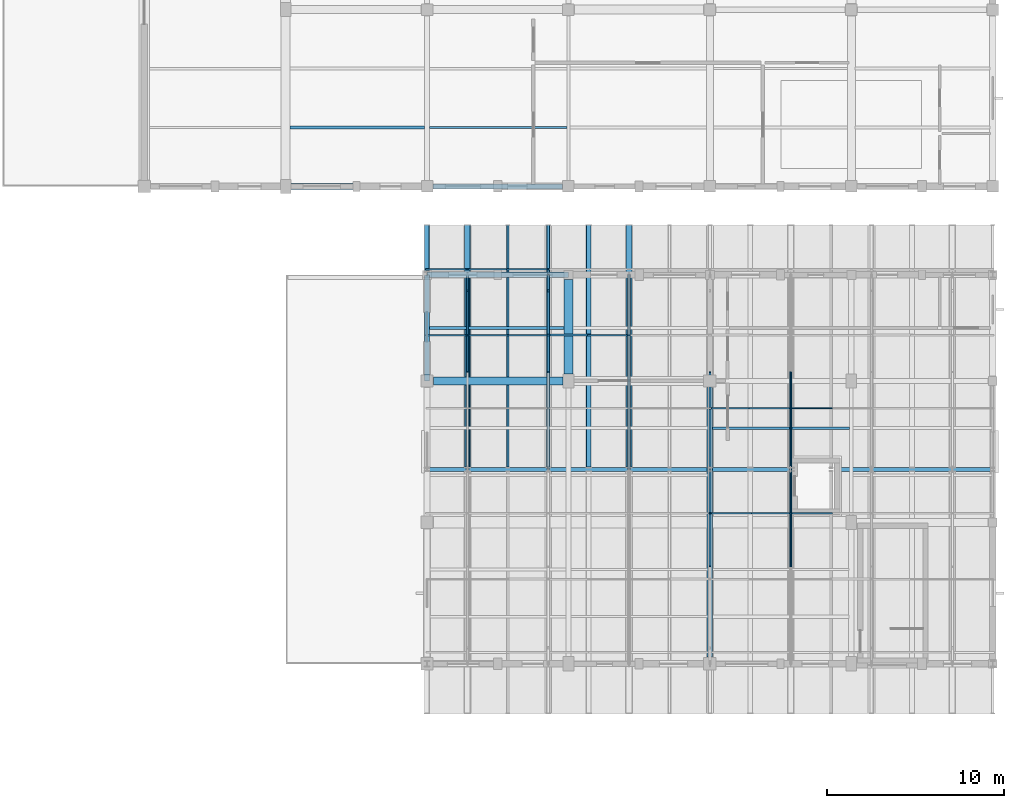
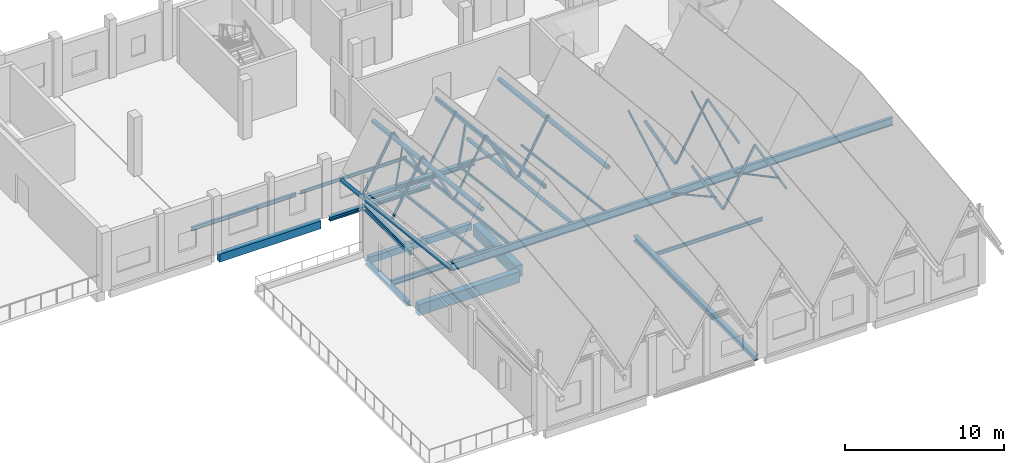
# One storey, part 19 of 48: 25 members, 20 beams.
"""IFC4 building model written with IfcOpenShell, lengths in metres."""

from ifc_helpers import new_model, si_unit, direction, frame, origin, origin_2d, place, context, subcontext, project, spatial, rectangle, hollow_rectangle, hollow_circle, i_section, extrude, material, material_profile, profile_set, type_object, element, save


model = new_model("IFC4")

# Units and contexts
model_context = context("Model", 3, precision=1e-05, world=origin(), true_north=direction((0.0, 1.0)))
body_context = subcontext(model_context, "Body", "Model", "MODEL_VIEW")
ifc_project = project(units=[si_unit("LENGTHUNIT", "METRE"), si_unit("AREAUNIT", "SQUARE_METRE"), si_unit("VOLUMEUNIT", "CUBIC_METRE"), si_unit("PLANEANGLEUNIT", "RADIAN"), si_unit("MASSUNIT", "GRAM", prefix="KILO")], contexts=[model_context])

# Site, building, storey
site_placement = place(None, origin())
site = spatial("IfcSite", under=ifc_project, at=site_placement, CompositionType="ELEMENT")
building_placement = place(site_placement, origin())
building = spatial("IfcBuilding", under=site, at=building_placement, Name="Luwemba Playhouse", CompositionType="ELEMENT")
storey_placement = place(building_placement, frame((0.0, 0.0, 13.800048828125)))
storey = spatial("IfcBuildingStorey", under=building, at=storey_placement, Name="L03", CompositionType="ELEMENT", Elevation=13.800048828125)

# Beams
ifc_material_1 = material(Name="Concrete C40/50", Category="concrete")
ifc_material_profile_1 = material_profile(ifc_material_1, rectangle(XDim=0.449951171875, YDim=0.85009765625, at=origin_2d()))
ifc_profile_set_1 = profile_set([ifc_material_profile_1], Name="Concrete C40/50")
beam_type_1 = type_object("IfcBeamType", Name="BM-RB05", PredefinedType="BEAM", material=ifc_profile_set_1)
beam_1_placement = place(storey_placement, frame((140.375, 84.0, -0.655029296875), z_axis=(1.0, 0.0, 0.0), x_axis=(0.0, 1.0, 0.0)))
element("IfcBeam", 1, at=beam_1_placement, inside=storey, type_object=beam_type_1, Name="L03 grid girder 0864", PredefinedType="BEAM", context=body_context, shape_type="SweptSolid", body=[
    extrude(rectangle(XDim=0.449951171875, YDim=0.85009765625, at=origin_2d()), origin(), (0.0, 0.0, 1.0), 7.324951171875),
])
ifc_material_profile_2 = material_profile(ifc_material_1, rectangle(XDim=0.5, YDim=0.89990234375, at=origin_2d()))
ifc_profile_set_2 = profile_set([ifc_material_profile_2], Name="Concrete C40/50")
beam_type_2 = type_object("IfcBeamType", Name="BM-RB07", PredefinedType="BEAM", material=ifc_profile_set_2)
beam_2_placement = place(storey_placement, frame((148.0, 84.39990234375, -0.679931640625), z_axis=(0.0, 1.0, 0.0), x_axis=(-1.0, 0.0, 0.0)))
element("IfcBeam", 2, at=beam_2_placement, inside=storey, type_object=beam_type_2, Name="L03 transverse girder 0876", PredefinedType="BEAM", context=body_context, shape_type="SweptSolid", body=[
    extrude(rectangle(XDim=0.5, YDim=0.89990234375, at=origin_2d()), origin(), (0.0, 0.0, 1.0), 5.3251953125),
])
ifc_material_2 = material(Name="Steel S355", Category="steel")
ifc_material_profile_3 = material_profile(ifc_material_2, hollow_rectangle(XDim=0.14990234375, YDim=0.25, WallThickness=0.010009765625, InnerFilletRadius=0.014892578125, OuterFilletRadius=0.02490234375, at=origin_2d()))
ifc_profile_set_3 = profile_set([ifc_material_profile_3], Name="Steel S355")
beam_type_3 = type_object("IfcBeamType", Name="BM-RTG1", PredefinedType="USERDEFINED", material=ifc_profile_set_3)
beam_3_placement = place(storey_placement, frame((144.5712890625, 79.110107421875, 5.536376953125), z_axis=(0.0, 0.99376734367, -0.111474062697), x_axis=(-1.0, 0.0, 0.0)))
element("IfcBeam", 3, at=beam_3_placement, inside=storey, type_object=beam_type_3, Name="ROOF TRUSS valley girder 0217", ObjectType="ROOF TRUSS", PredefinedType="USERDEFINED", context=body_context, shape_type="SweptSolid", body=[
    extrude(hollow_rectangle(XDim=0.14990234375, YDim=0.25, WallThickness=0.010009765625, InnerFilletRadius=0.014892578125, OuterFilletRadius=0.02490234375, at=origin_2d()), origin(), (0.0, 0.0, 1.0), 13.77587890625),
])
ifc_material_profile_4 = material_profile(ifc_material_2, hollow_rectangle(XDim=0.199951171875, YDim=0.300048828125, WallThickness=0.012451171875, InnerFilletRadius=0.018798828125, OuterFilletRadius=0.03125, at=origin_2d()))
ifc_profile_set_4 = profile_set([ifc_material_profile_4], Name="Steel S355")
beam_type_4 = type_object("IfcBeamType", Name="BM-RTG2", PredefinedType="USERDEFINED", material=ifc_profile_set_4)
beam_4_placement = place(storey_placement, frame((146.857177734375, 79.110107421875, 9.412353515625), z_axis=(0.0, 0.993769306798, -0.111456560446), x_axis=(-1.0, 0.0, 0.0)))
element("IfcBeam", 4, at=beam_4_placement, inside=storey, type_object=beam_type_4, Name="ROOF TRUSS ridge girder 0219", ObjectType="ROOF TRUSS", PredefinedType="USERDEFINED", context=body_context, shape_type="SweptSolid", body=[
    extrude(hollow_rectangle(XDim=0.199951171875, YDim=0.300048828125, WallThickness=0.012451171875, InnerFilletRadius=0.018798828125, OuterFilletRadius=0.03125, at=origin_2d()), origin(), (0.0, 0.0, 1.0), 13.77587890625),
])
ifc_material_profile_5 = material_profile(ifc_material_2, hollow_circle(Radius=0.136474609375, WallThickness=0.012451171875, at=origin_2d()))
ifc_profile_set_5 = profile_set([ifc_material_profile_5], Name="Steel S355")
beam_type_5 = type_object("IfcBeamType", Name="BM-RTG3", PredefinedType="USERDEFINED", material=ifc_profile_set_5)
for number, where, z_axis, x_axis, name in (
    (5, (140.0, 79.110107421875, 5.52490234375), (0.0, 0.99376734367, -0.111474062697), (-1.0, 0.0, 0.0), "ROOF TRUSS valley girder 0213"),
    (6, (149.142822265625, 79.110107421875, 5.52490234375), (0.0, 0.993769306798, -0.111456560446), (-1.0, 0.0, 0.0), "ROOF TRUSS valley girder 0221"),
):
    element("IfcBeam", number, at=place(storey_placement, frame(where, z_axis=z_axis, x_axis=x_axis)), inside=storey, type_object=beam_type_5, Name=name, ObjectType="ROOF TRUSS", PredefinedType="USERDEFINED", context=body_context, shape_type="SweptSolid", body=[
        extrude(hollow_circle(Radius=0.136474609375, WallThickness=0.012451171875, at=origin_2d()), origin(), (0.0, 0.0, 1.0), 13.77587890625),
    ])
ifc_material_profile_6 = material_profile(ifc_material_2, hollow_circle(Radius=0.161865234375, WallThickness=0.01611328125, at=origin_2d()))
ifc_profile_set_6 = profile_set([ifc_material_profile_6], Name="Steel S355")
beam_type_6 = type_object("IfcBeamType", Name="BM-RTG4", PredefinedType="USERDEFINED", material=ifc_profile_set_6)
for number, where, z_axis, x_axis, name in (
    (7, (142.28564453125, 79.110107421875, 9.28759765625), (0.0, 0.993769306798, -0.111456560446), (-1.0, 0.0, 0.0), "ROOF TRUSS ridge girder 0215"),
    (8, (151.4287109375, 79.110107421875, 9.28759765625), (0.0, 0.99376734367, -0.111474062697), (-1.0, 0.0, 0.0), "ROOF TRUSS ridge girder 0223"),
):
    element("IfcBeam", number, at=place(storey_placement, frame(where, z_axis=z_axis, x_axis=x_axis)), inside=storey, type_object=beam_type_6, Name=name, ObjectType="ROOF TRUSS", PredefinedType="USERDEFINED", context=body_context, shape_type="SweptSolid", body=[
        extrude(hollow_circle(Radius=0.161865234375, WallThickness=0.01611328125, at=origin_2d()), origin(), (0.0, 0.0, 1.0), 13.77587890625),
    ])
ifc_material_profile_7 = material_profile(ifc_material_2, i_section(OverallWidth=0.219970703125, OverallDepth=0.60009765625, WebThickness=0.011962890625, FlangeThickness=0.01904296875, FilletRadius=0.02392578125, at=origin_2d()))
ifc_profile_set_7 = profile_set([ifc_material_profile_7], Name="Steel S355")
beam_type_7 = type_object("IfcBeamType", Name="BM-SB08", PredefinedType="BEAM", material=ifc_profile_set_7)
beam_5_placement = place(storey_placement, frame((140.0, 79.0, 5.753662109375), z_axis=(1.0, 0.0, 0.0), x_axis=(0.0, 1.0, 0.0)))
element("IfcBeam", 9, at=beam_5_placement, inside=storey, type_object=beam_type_7, Name="RF-V4 central ridge spine girder 0211", PredefinedType="BEAM", context=body_context, shape_type="SweptSolid", body=[
    extrude(i_section(OverallWidth=0.219970703125, OverallDepth=0.60009765625, WebThickness=0.011962890625, FlangeThickness=0.01904296875, FilletRadius=0.02392578125, at=origin_2d()), origin(), (0.0, 0.0, 1.0), 32.0),
])
ifc_material_profile_8 = material_profile(ifc_material_2, i_section(OverallWidth=0.300048828125, OverallDepth=0.360107421875, WebThickness=0.012451171875, FlangeThickness=0.0224609375, FilletRadius=0.027099609375, at=origin_2d()))
ifc_profile_set_8 = profile_set([ifc_material_profile_8], Name="Steel S355")
beam_type_8 = type_object("IfcBeamType", Name="BM-SB09", PredefinedType="BEAM", material=ifc_profile_set_8)
beam_6_placement = place(storey_placement, frame((140.0, 90.0, 4.320068359375), z_axis=(1.0, 0.0, 0.0), x_axis=(0.0, 1.0, 0.0)))
element("IfcBeam", 10, at=beam_6_placement, inside=storey, type_object=beam_type_8, Name="RF-V4 eave ring beam 0199", PredefinedType="BEAM", context=body_context, shape_type="SweptSolid", body=[
    extrude(i_section(OverallWidth=0.300048828125, OverallDepth=0.360107421875, WebThickness=0.012451171875, FlangeThickness=0.0224609375, FilletRadius=0.027099609375, at=origin_2d()), origin(), (0.0, 0.0, 1.0), 8.0),
])
beam_7_placement = place(storey_placement, frame((140.0, 84.0, 3.780029296875), z_axis=(0.0, 1.0, 0.0), x_axis=(-1.0, 0.0, 0.0)))
element("IfcBeam", 11, at=beam_7_placement, inside=storey, type_object=beam_type_8, Name="RF-V4 gable ring beam 0205", PredefinedType="BEAM", context=body_context, shape_type="SweptSolid", body=[
    extrude(i_section(OverallWidth=0.300048828125, OverallDepth=0.360107421875, WebThickness=0.012451171875, FlangeThickness=0.0224609375, FilletRadius=0.027099609375, at=origin_2d()), origin(), (0.0, 0.0, 1.0), 6.0),
])
ifc_material_profile_9 = material_profile(ifc_material_2, i_section(OverallWidth=0.300048828125, OverallDepth=0.39990234375, WebThickness=0.013427734375, FlangeThickness=0.02392578125, FilletRadius=0.027099609375, at=origin_2d()))
ifc_profile_set_9 = profile_set([ifc_material_profile_9], Name="Steel S355")
beam_type_9 = type_object("IfcBeamType", Name="BM-SB10", PredefinedType="BEAM", material=ifc_profile_set_9)
beam_8_placement = place(storey_placement, frame((156.0, 68.375, -0.429931640625), z_axis=(0.0, 1.0, 0.0), x_axis=(-1.0, 0.0, 0.0)))
element("IfcBeam", 12, at=beam_8_placement, inside=storey, type_object=beam_type_9, Name="L03 transverse girder 0877", PredefinedType="BEAM", context=body_context, shape_type="SweptSolid", body=[
    extrude(i_section(OverallWidth=0.300048828125, OverallDepth=0.39990234375, WebThickness=0.013427734375, FlangeThickness=0.02392578125, FilletRadius=0.027099609375, at=origin_2d()), origin(), (0.0, 0.0, 1.0), 15.25),
])
ifc_material_profile_10 = material_profile(ifc_material_2, i_section(OverallWidth=0.1201171875, OverallDepth=0.239990234375, WebThickness=0.006103515625, FlangeThickness=0.009765625, FilletRadius=0.014892578125, at=origin_2d()))
ifc_profile_set_10 = profile_set([ifc_material_profile_10], Name="Steel S355")
beam_type_10 = type_object("IfcBeamType", Name="BM-SJ03", PredefinedType="JOIST", material=ifc_profile_set_10)
beam_9_placement = place(storey_placement, frame((140.135986328125, 98.333251953125, -0.35009765625), z_axis=(1.0, 0.0, 0.0), x_axis=(0.0, 1.0, 0.0)))
element("IfcBeam", 13, at=beam_9_placement, inside=storey, type_object=beam_type_10, Name="L03 composite floor joist 0512", PredefinedType="JOIST", context=body_context, shape_type="SweptSolid", body=[
    extrude(i_section(OverallWidth=0.1201171875, OverallDepth=0.239990234375, WebThickness=0.006103515625, FlangeThickness=0.009765625, FilletRadius=0.014892578125, at=origin_2d()), origin(), (0.0, 0.0, 1.0), 7.77294921875),
])
ifc_material_profile_11 = material_profile(ifc_material_2, i_section(OverallWidth=0.135009765625, OverallDepth=0.27001953125, WebThickness=0.006591796875, FlangeThickness=0.01025390625, FilletRadius=0.014892578125, at=origin_2d()))
ifc_profile_set_11 = profile_set([ifc_material_profile_11], Name="Steel S355")
beam_type_11 = type_object("IfcBeamType", Name="BM-SJ04", PredefinedType="JOIST", material=ifc_profile_set_11)
beam_10_placement = place(storey_placement, frame((156.14599609375, 81.333251953125, -0.364990234375), z_axis=(1.0, 0.0, 0.0), x_axis=(0.0, 1.0, 0.0)))
element("IfcBeam", 14, at=beam_10_placement, inside=storey, type_object=beam_type_11, Name="L03 composite floor joist 0501", PredefinedType="JOIST", context=body_context, shape_type="SweptSolid", body=[
    extrude(i_section(OverallWidth=0.135009765625, OverallDepth=0.27001953125, WebThickness=0.006591796875, FlangeThickness=0.01025390625, FilletRadius=0.014892578125, at=origin_2d()), origin(), (0.0, 0.0, 1.0), 7.762939453125),
])
ifc_material_profile_12 = material_profile(ifc_material_2, i_section(OverallWidth=0.14990234375, OverallDepth=0.300048828125, WebThickness=0.007080078125, FlangeThickness=0.0107421875, FilletRadius=0.014892578125, at=origin_2d()))
ifc_profile_set_12 = profile_set([ifc_material_profile_12], Name="Steel S355")
beam_type_12 = type_object("IfcBeamType", Name="BM-SJ05", PredefinedType="JOIST", material=ifc_profile_set_12)
beam_11_placement = place(storey_placement, frame((132.24609375, 98.333251953125, -0.380126953125), z_axis=(1.0, 0.0, 0.0), x_axis=(0.0, 1.0, 0.0)))
element("IfcBeam", 15, at=beam_11_placement, inside=storey, type_object=beam_type_12, Name="L03 composite floor joist 0508", PredefinedType="JOIST", context=body_context, shape_type="SweptSolid", body=[
    extrude(i_section(OverallWidth=0.14990234375, OverallDepth=0.300048828125, WebThickness=0.007080078125, FlangeThickness=0.0107421875, FilletRadius=0.014892578125, at=origin_2d()), origin(), (0.0, 0.0, 1.0), 7.617919921875),
])
ifc_material_profile_13 = material_profile(ifc_material_2, i_section(OverallWidth=0.179931640625, OverallDepth=0.39990234375, WebThickness=0.008544921875, FlangeThickness=0.013427734375, FilletRadius=0.02099609375, at=origin_2d()))
ifc_profile_set_13 = profile_set([ifc_material_profile_13], Name="Steel S355")
beam_type_13 = type_object("IfcBeamType", Name="BM-SJ08", PredefinedType="JOIST", material=ifc_profile_set_13)
beam_12_placement = place(storey_placement, frame((140.14599609375, 87.0, -0.429931640625), z_axis=(1.0, 0.0, 0.0), x_axis=(0.0, 1.0, 0.0)))
element("IfcBeam", 16, at=beam_12_placement, inside=storey, type_object=beam_type_13, Name="L03 composite floor joist 0493", PredefinedType="JOIST", context=body_context, shape_type="SweptSolid", body=[
    extrude(i_section(OverallWidth=0.179931640625, OverallDepth=0.39990234375, WebThickness=0.008544921875, FlangeThickness=0.013427734375, FilletRadius=0.02099609375, at=origin_2d()), origin(), (0.0, 0.0, 1.0), 7.60791015625),
])
ifc_material_profile_14 = material_profile(ifc_material_1, rectangle(XDim=0.300048828125, YDim=0.5, at=origin_2d()))
ifc_profile_set_14 = profile_set([ifc_material_profile_14], Name="Concrete C40/50")
beam_type_14 = type_object("IfcBeamType", Name="BM-SP1", PredefinedType="SPANDREL", material=ifc_profile_set_14)
beam_13_placement = place(storey_placement, frame((140.27490234375, 90.0, -0.47998046875), z_axis=(1.0, 0.0, 0.0), x_axis=(0.0, 1.0, 0.0)))
element("IfcBeam", 17, at=beam_13_placement, inside=storey, type_object=beam_type_14, Name="L03 grid girder 0868", PredefinedType="SPANDREL", context=body_context, shape_type="SweptSolid", body=[
    extrude(rectangle(XDim=0.300048828125, YDim=0.5, at=origin_2d()), origin(), (0.0, 0.0, 1.0), 7.4501953125),
])
ifc_material_profile_15 = material_profile(ifc_material_1, rectangle(XDim=0.35009765625, YDim=0.60009765625, at=origin_2d()))
ifc_profile_set_15 = profile_set([ifc_material_profile_15], Name="Concrete C40/50")
beam_type_15 = type_object("IfcBeamType", Name="BM-SP3", PredefinedType="SPANDREL", material=ifc_profile_set_15)
beam_14_placement = place(storey_placement, frame((132.300048828125, 95.0, -0.530029296875), z_axis=(1.0, 0.0, 0.0), x_axis=(0.0, 1.0, 0.0)))
element("IfcBeam", 18, at=beam_14_placement, inside=storey, type_object=beam_type_15, Name="L03 grid girder 0886", PredefinedType="SPANDREL", context=body_context, shape_type="SweptSolid", body=[
    extrude(rectangle(XDim=0.35009765625, YDim=0.60009765625, at=origin_2d()), origin(), (0.0, 0.0, 1.0), 7.349853515625),
])
ifc_material_profile_16 = material_profile(ifc_material_2, i_section(OverallWidth=0.300048828125, OverallDepth=0.300048828125, WebThickness=0.010986328125, FlangeThickness=0.01904296875, FilletRadius=0.027099609375, at=origin_2d()))
ifc_profile_set_16 = profile_set([ifc_material_profile_16], Name="Steel S355")
beam_type_16 = type_object("IfcBeamType", Name="BM-SSP1", PredefinedType="SPANDREL", material=ifc_profile_set_16)
beam_15_placement = place(storey_placement, frame((140.0, 84.375, -0.380126953125), z_axis=(0.0, 1.0, 0.0), x_axis=(-1.0, 0.0, 0.0)))
element("IfcBeam", 19, at=beam_15_placement, inside=storey, type_object=beam_type_16, Name="L03 transverse girder 0874", PredefinedType="SPANDREL", context=body_context, shape_type="SweptSolid", body=[
    extrude(i_section(OverallWidth=0.300048828125, OverallDepth=0.300048828125, WebThickness=0.010986328125, FlangeThickness=0.01904296875, FilletRadius=0.027099609375, at=origin_2d()), origin(), (0.0, 0.0, 1.0), 5.35009765625),
])
beam_16_placement = place(storey_placement, frame((140.35009765625, 95.0, -0.380126953125), z_axis=(1.0, 0.0, 0.0), x_axis=(0.0, 1.0, 0.0)))
element("IfcBeam", 20, at=beam_16_placement, inside=storey, type_object=beam_type_16, Name="L03 grid girder 0887", PredefinedType="SPANDREL", context=body_context, shape_type="SweptSolid", body=[
    extrude(i_section(OverallWidth=0.300048828125, OverallDepth=0.300048828125, WebThickness=0.010986328125, FlangeThickness=0.01904296875, FilletRadius=0.027099609375, at=origin_2d()), origin(), (0.0, 0.0, 1.0), 7.2998046875),
])

# Members
ifc_material_profile_17 = material_profile(ifc_material_2, hollow_circle(Radius=0.06982421875, WallThickness=0.008056640625, at=origin_2d()))
ifc_profile_set_17 = profile_set([ifc_material_profile_17], Name="Steel S355")
member_type_1 = type_object("IfcMemberType", Name="MEM-MB01", PredefinedType="BRACE", material=ifc_profile_set_17)
for number, where, z_axis, x_axis, name in (
    (21, (160.5712890625, 79.0, 5.753662109375), (0.0, -0.882612008669, 0.4701021614), (1.0, 0.0, 0.0), "ROOF TRUSS web diagonal 0208"),
    (22, (160.5712890625, 79.0, 5.753662109375), (0.0, 0.882612008669, 0.4701021614), (-1.0, 0.0, 0.0), "ROOF TRUSS web diagonal 0209"),
):
    element("IfcMember", number, at=place(storey_placement, frame(where, z_axis=z_axis, x_axis=x_axis)), inside=storey, type_object=member_type_1, Name=name, PredefinedType="BRACE", context=body_context, shape_type="SweptSolid", body=[
        extrude(hollow_circle(Radius=0.06982421875, WallThickness=0.008056640625, at=origin_2d()), origin(), (0.0, 0.0, 1.0), 6.2314453125),
    ])
ifc_material_profile_18 = material_profile(ifc_material_2, hollow_rectangle(XDim=0.10009765625, YDim=0.10009765625, WallThickness=0.00634765625, InnerFilletRadius=0.009521484375, OuterFilletRadius=0.015869140625, at=origin_2d()))
ifc_profile_set_18 = profile_set([ifc_material_profile_18], Name="Steel S355")
member_type_2 = type_object("IfcMemberType", Name="MEM-MB05", PredefinedType="BRACE", material=ifc_profile_set_18)
member_1_placement = place(storey_placement, frame((142.28564453125, 90.0, 4.39990234375), z_axis=(0.0, -0.788974908765, 0.614425417231), x_axis=(1.0, 0.0, 0.0)))
element("IfcMember", 23, at=member_1_placement, inside=storey, type_object=member_type_2, Name="ROOF TRUSS web diagonal 0186", PredefinedType="BRACE", context=body_context, shape_type="SweptSolid", body=[
    extrude(hollow_rectangle(XDim=0.10009765625, YDim=0.10009765625, WallThickness=0.00634765625, InnerFilletRadius=0.009521484375, OuterFilletRadius=0.015869140625, at=origin_2d()), origin(), (0.0, 0.0, 1.0), 6.97119140625),
])
member_2_placement = place(storey_placement, frame((142.28564453125, 90.0, 4.39990234375), z_axis=(0.0, -0.2323334223, 0.972636201713), x_axis=(1.0, 0.0, 0.0)))
element("IfcMember", 24, at=member_2_placement, inside=storey, type_object=member_type_2, Name="ROOF TRUSS eave knee strut 0045", PredefinedType="BRACE", context=body_context, shape_type="SweptSolid", body=[
    extrude(hollow_rectangle(XDim=0.10009765625, YDim=0.10009765625, WallThickness=0.00634765625, InnerFilletRadius=0.009521484375, OuterFilletRadius=0.015869140625, at=origin_2d()), origin(), (0.0, 0.0, 1.0), 3.873291015625),
])
ifc_material_profile_19 = material_profile(ifc_material_2, hollow_rectangle(XDim=0.1201171875, YDim=0.1201171875, WallThickness=0.008056640625, InnerFilletRadius=0.011962890625, OuterFilletRadius=0.02001953125, at=origin_2d()))
ifc_profile_set_19 = profile_set([ifc_material_profile_19], Name="Steel S355")
member_type_3 = type_object("IfcMemberType", Name="MEM-MB06", PredefinedType="BRACE", material=ifc_profile_set_19)
for number, where, z_axis, x_axis, name in (
    (25, (156.0, 79.0, 5.753662109375), (0.0, -0.874248787032, 0.485478174972), (1.0, 0.0, 0.0), "ROOF TRUSS web diagonal 0202"),
    (26, (156.0, 79.0, 5.753662109375), (0.0, 0.874248787032, 0.485478174972), (-1.0, 0.0, 0.0), "ROOF TRUSS web diagonal 0203"),
):
    element("IfcMember", number, at=place(storey_placement, frame(where, z_axis=z_axis, x_axis=x_axis)), inside=storey, type_object=member_type_3, Name=name, PredefinedType="BRACE", context=body_context, shape_type="SweptSolid", body=[
        extrude(hollow_rectangle(XDim=0.1201171875, YDim=0.1201171875, WallThickness=0.008056640625, InnerFilletRadius=0.011962890625, OuterFilletRadius=0.02001953125, at=origin_2d()), origin(), (0.0, 0.0, 1.0), 6.291015625),
    ])
ifc_material_profile_20 = material_profile(ifc_material_2, hollow_rectangle(XDim=0.139892578125, YDim=0.139892578125, WallThickness=0.008056640625, InnerFilletRadius=0.011962890625, OuterFilletRadius=0.02001953125, at=origin_2d()))
ifc_profile_set_20 = profile_set([ifc_material_profile_20], Name="Steel S355")
member_type_4 = type_object("IfcMemberType", Name="MEM-MB07", PredefinedType="BRACE", material=ifc_profile_set_20)
member_3_placement = place(storey_placement, frame((146.857177734375, 90.0, 4.39990234375), z_axis=(0.0, -0.780317682275, 0.625383334227), x_axis=(1.0, 0.0, 0.0)))
element("IfcMember", 27, at=member_3_placement, inside=storey, type_object=member_type_4, Name="ROOF TRUSS web diagonal 0192", PredefinedType="BRACE", context=body_context, shape_type="SweptSolid", body=[
    extrude(hollow_rectangle(XDim=0.139892578125, YDim=0.139892578125, WallThickness=0.008056640625, InnerFilletRadius=0.011962890625, OuterFilletRadius=0.02001953125, at=origin_2d()), origin(), (0.0, 0.0, 1.0), 7.04833984375),
])
member_4_placement = place(storey_placement, frame((146.857177734375, 90.0, 4.39990234375), z_axis=(0.0, -0.225270125024, 0.974296346484), x_axis=(1.0, 0.0, 0.0)))
element("IfcMember", 28, at=member_4_placement, inside=storey, type_object=member_type_4, Name="ROOF TRUSS eave knee strut 0047", PredefinedType="BRACE", context=body_context, shape_type="SweptSolid", body=[
    extrude(hollow_rectangle(XDim=0.139892578125, YDim=0.139892578125, WallThickness=0.008056640625, InnerFilletRadius=0.011962890625, OuterFilletRadius=0.02001953125, at=origin_2d()), origin(), (0.0, 0.0, 1.0), 3.994873046875),
])
ifc_material_profile_21 = material_profile(ifc_material_2, hollow_rectangle(XDim=0.14990234375, YDim=0.14990234375, WallThickness=0.010009765625, InnerFilletRadius=0.014892578125, OuterFilletRadius=0.02490234375, at=origin_2d()))
ifc_profile_set_21 = profile_set([ifc_material_profile_21], Name="Steel S355")
member_type_5 = type_object("IfcMemberType", Name="MEM-MC02", PredefinedType="CHORD", material=ifc_profile_set_21)
member_5_placement = place(storey_placement, frame((151.4287109375, 79.0, 5.753662109375), z_axis=(0.0, 0.992511955912, -0.122147522983), x_axis=(-1.0, 0.0, 0.0)))
element("IfcMember", 29, at=member_5_placement, inside=storey, type_object=member_type_5, Name="ROOF TRUSS north bottom chord 0194", PredefinedType="CHORD", context=body_context, shape_type="SweptSolid", body=[
    extrude(hollow_rectangle(XDim=0.14990234375, YDim=0.14990234375, WallThickness=0.010009765625, InnerFilletRadius=0.014892578125, OuterFilletRadius=0.02490234375, at=origin_2d()), origin(), (0.0, 0.0, 1.0), 11.0830078125),
])
ifc_material_profile_22 = material_profile(ifc_material_2, hollow_rectangle(XDim=0.179931640625, YDim=0.179931640625, WallThickness=0.010009765625, InnerFilletRadius=0.014892578125, OuterFilletRadius=0.02490234375, at=origin_2d()))
ifc_profile_set_22 = profile_set([ifc_material_profile_22], Name="Steel S355")
member_type_6 = type_object("IfcMemberType", Name="MEM-MC03", PredefinedType="CHORD", material=ifc_profile_set_22)
member_6_placement = place(storey_placement, frame((142.28564453125, 79.0, 5.753662109375), z_axis=(0.0, 0.992511955912, -0.122147522983), x_axis=(-1.0, 0.0, 0.0)))
element("IfcMember", 30, at=member_6_placement, inside=storey, type_object=member_type_6, Name="ROOF TRUSS north bottom chord 0182", PredefinedType="CHORD", context=body_context, shape_type="SweptSolid", body=[
    extrude(hollow_rectangle(XDim=0.179931640625, YDim=0.179931640625, WallThickness=0.010009765625, InnerFilletRadius=0.014892578125, OuterFilletRadius=0.02490234375, at=origin_2d()), origin(), (0.0, 0.0, 1.0), 11.0830078125),
])
ifc_material_profile_23 = material_profile(ifc_material_2, hollow_rectangle(XDim=0.1201171875, YDim=0.199951171875, WallThickness=0.010009765625, InnerFilletRadius=0.014892578125, OuterFilletRadius=0.02490234375, at=origin_2d()))
ifc_profile_set_23 = profile_set([ifc_material_profile_23], Name="Steel S355")
member_type_7 = type_object("IfcMemberType", Name="MEM-MC05", PredefinedType="CHORD", material=ifc_profile_set_23)
member_7_placement = place(storey_placement, frame((146.857177734375, 79.0, 5.753662109375), z_axis=(0.0, 0.992511955912, -0.122147522983), x_axis=(-1.0, 0.0, 0.0)))
element("IfcMember", 31, at=member_7_placement, inside=storey, type_object=member_type_7, Name="ROOF TRUSS north bottom chord 0188", PredefinedType="CHORD", context=body_context, shape_type="SweptSolid", body=[
    extrude(hollow_rectangle(XDim=0.1201171875, YDim=0.199951171875, WallThickness=0.010009765625, InnerFilletRadius=0.014892578125, OuterFilletRadius=0.02490234375, at=origin_2d()), origin(), (0.0, 0.0, 1.0), 11.0830078125),
])
ifc_material_profile_24 = material_profile(ifc_material_2, hollow_rectangle(XDim=0.10009765625, YDim=0.14990234375, WallThickness=0.008056640625, InnerFilletRadius=0.011962890625, OuterFilletRadius=0.02001953125, at=origin_2d()))
ifc_profile_set_24 = profile_set([ifc_material_profile_24], Name="Steel S355")
member_type_8 = type_object("IfcMemberType", Name="MEM-MP02", PredefinedType="PURLIN", material=ifc_profile_set_24)
member_8_placement = place(storey_placement, frame((144.5712890625, 86.590087890625, 4.6611328125), z_axis=(0.481021165728, 0.0, 0.876708981431), x_axis=(0.0, 1.0, 0.0)))
element("IfcMember", 32, at=member_8_placement, inside=storey, type_object=member_type_8, Name="Pleated roof purlin 0377", PredefinedType="PURLIN", context=body_context, shape_type="SweptSolid", body=[
    extrude(hollow_rectangle(XDim=0.10009765625, YDim=0.14990234375, WallThickness=0.008056640625, InnerFilletRadius=0.011962890625, OuterFilletRadius=0.02001953125, at=origin_2d()), origin(), (0.0, 0.0, 1.0), 4.752197265625),
])
member_9_placement = place(storey_placement, frame((160.5712890625, 76.51611328125, 9.400146484375), z_axis=(0.481042832061, 0.0, -0.876697093484), x_axis=(0.0, 1.0, 0.0)))
element("IfcMember", 33, at=member_9_placement, inside=storey, type_object=member_type_8, Name="Pleated roof purlin 0417", PredefinedType="PURLIN", context=body_context, shape_type="SweptSolid", body=[
    extrude(hollow_rectangle(XDim=0.10009765625, YDim=0.14990234375, WallThickness=0.008056640625, InnerFilletRadius=0.011962890625, OuterFilletRadius=0.02001953125, at=origin_2d()), origin(), (0.0, 0.0, 1.0), 4.751953125),
])
ifc_material_profile_25 = material_profile(ifc_material_2, hollow_rectangle(XDim=0.080078125, YDim=0.159912109375, WallThickness=0.00634765625, InnerFilletRadius=0.009521484375, OuterFilletRadius=0.015869140625, at=origin_2d()))
ifc_profile_set_25 = profile_set([ifc_material_profile_25], Name="Steel S355")
member_type_9 = type_object("IfcMemberType", Name="MEM-MP03", PredefinedType="PURLIN", material=ifc_profile_set_25)
for number, where, z_axis, x_axis, name in (
    (34, (144.5712890625, 90.31591796875, 4.256591796875), (0.481021165728, 0.0, 0.876708981431), (0.0, 1.0, 0.0), "Pleated roof purlin 0378"),
    (35, (160.5712890625, 82.449951171875, 9.30517578125), (0.481021165728, 0.0, -0.876708981431), (0.0, 1.0, 0.0), "Pleated roof purlin 0418"),
):
    element("IfcMember", number, at=place(storey_placement, frame(where, z_axis=z_axis, x_axis=x_axis)), inside=storey, type_object=member_type_9, Name=name, PredefinedType="PURLIN", context=body_context, shape_type="SweptSolid", body=[
        extrude(hollow_rectangle(XDim=0.080078125, YDim=0.159912109375, WallThickness=0.00634765625, InnerFilletRadius=0.009521484375, OuterFilletRadius=0.015869140625, at=origin_2d()), origin(), (0.0, 0.0, 1.0), 4.752197265625),
    ])
ifc_material_profile_26 = material_profile(ifc_material_2, hollow_rectangle(XDim=0.10009765625, YDim=0.179931640625, WallThickness=0.008056640625, InnerFilletRadius=0.011962890625, OuterFilletRadius=0.02001953125, at=origin_2d()))
ifc_profile_set_26 = profile_set([ifc_material_profile_26], Name="Steel S355")
member_type_10 = type_object("IfcMemberType", Name="MEM-MP04", PredefinedType="PURLIN", material=ifc_profile_set_26)
for number, where, z_axis, x_axis, name in (
    (36, (142.28564453125, 86.590087890625, 8.8125), (0.480981676724, 0.0, -0.876730646582), (0.0, 1.0, 0.0), "Pleated roof purlin 0371"),
    (37, (158.28564453125, 76.51611328125, 5.218994140625), (0.480981676724, 0.0, 0.876730646582), (0.0, 1.0, 0.0), "Pleated roof purlin 0411"),
):
    element("IfcMember", number, at=place(storey_placement, frame(where, z_axis=z_axis, x_axis=x_axis)), inside=storey, type_object=member_type_10, Name=name, PredefinedType="PURLIN", context=body_context, shape_type="SweptSolid", body=[
        extrude(hollow_rectangle(XDim=0.10009765625, YDim=0.179931640625, WallThickness=0.008056640625, InnerFilletRadius=0.011962890625, OuterFilletRadius=0.02001953125, at=origin_2d()), origin(), (0.0, 0.0, 1.0), 4.751953125),
    ])
ifc_material_profile_27 = material_profile(ifc_material_2, i_section(OverallWidth=0.08203125, OverallDepth=0.159912109375, WebThickness=0.0048828125, FlangeThickness=0.00732421875, FilletRadius=0.009033203125, at=origin_2d()))
ifc_profile_set_27 = profile_set([ifc_material_profile_27], Name="Steel S355")
member_type_11 = type_object("IfcMemberType", Name="MEM-MP05", PredefinedType="PURLIN", material=ifc_profile_set_27)
member_10_placement = place(storey_placement, frame((142.28564453125, 90.31591796875, 8.4208984375), z_axis=(0.48100334235, 0.0, -0.876718760292), x_axis=(0.0, 1.0, 0.0)))
element("IfcMember", 38, at=member_10_placement, inside=storey, type_object=member_type_11, Name="Pleated roof purlin 0372", PredefinedType="PURLIN", context=body_context, shape_type="SweptSolid", body=[
    extrude(i_section(OverallWidth=0.08203125, OverallDepth=0.159912109375, WebThickness=0.0048828125, FlangeThickness=0.00732421875, FilletRadius=0.009033203125, at=origin_2d()), origin(), (0.0, 0.0, 1.0), 4.751708984375),
])
member_11_placement = place(storey_placement, frame((158.28564453125, 82.449951171875, 5.136962890625), z_axis=(0.480981676724, 0.0, 0.876730646582), x_axis=(0.0, 1.0, 0.0)))
element("IfcMember", 39, at=member_11_placement, inside=storey, type_object=member_type_11, Name="Pleated roof purlin 0412", PredefinedType="PURLIN", context=body_context, shape_type="SweptSolid", body=[
    extrude(i_section(OverallWidth=0.08203125, OverallDepth=0.159912109375, WebThickness=0.0048828125, FlangeThickness=0.00732421875, FilletRadius=0.009033203125, at=origin_2d()), origin(), (0.0, 0.0, 1.0), 4.751953125),
])
ifc_material_profile_28 = material_profile(ifc_material_2, i_section(OverallWidth=0.091064453125, OverallDepth=0.179931640625, WebThickness=0.00537109375, FlangeThickness=0.008056640625, FilletRadius=0.009033203125, at=origin_2d()))
ifc_profile_set_28 = profile_set([ifc_material_profile_28], Name="Steel S355")
member_type_12 = type_object("IfcMemberType", Name="MEM-MP06", PredefinedType="PURLIN", material=ifc_profile_set_28)
member_12_placement = place(storey_placement, frame((140.0, 86.590087890625, 4.654541015625), z_axis=(0.48100334235, 0.0, 0.876718760292), x_axis=(0.0, 1.0, 0.0)))
element("IfcMember", 40, at=member_12_placement, inside=storey, type_object=member_type_12, Name="Pleated roof purlin 0365", PredefinedType="PURLIN", context=body_context, shape_type="SweptSolid", body=[
    extrude(i_section(OverallWidth=0.091064453125, OverallDepth=0.179931640625, WebThickness=0.00537109375, FlangeThickness=0.008056640625, FilletRadius=0.009033203125, at=origin_2d()), origin(), (0.0, 0.0, 1.0), 4.751708984375),
])
member_13_placement = place(storey_placement, frame((149.142822265625, 86.590087890625, 4.654541015625), z_axis=(0.481021165728, 0.0, 0.876708981431), x_axis=(0.0, 1.0, 0.0)))
element("IfcMember", 41, at=member_13_placement, inside=storey, type_object=member_type_12, Name="Pleated roof purlin 0389", PredefinedType="PURLIN", context=body_context, shape_type="SweptSolid", body=[
    extrude(i_section(OverallWidth=0.091064453125, OverallDepth=0.179931640625, WebThickness=0.00537109375, FlangeThickness=0.008056640625, FilletRadius=0.009033203125, at=origin_2d()), origin(), (0.0, 0.0, 1.0), 4.752197265625),
])
member_14_placement = place(storey_placement, frame((156.0, 76.51611328125, 9.3935546875), z_axis=(0.480981676724, 0.0, -0.876730646582), x_axis=(0.0, 1.0, 0.0)))
element("IfcMember", 42, at=member_14_placement, inside=storey, type_object=member_type_12, Name="Pleated roof purlin 0405", PredefinedType="PURLIN", context=body_context, shape_type="SweptSolid", body=[
    extrude(i_section(OverallWidth=0.091064453125, OverallDepth=0.179931640625, WebThickness=0.00537109375, FlangeThickness=0.008056640625, FilletRadius=0.009033203125, at=origin_2d()), origin(), (0.0, 0.0, 1.0), 4.751953125),
])
ifc_material_profile_29 = material_profile(ifc_material_2, i_section(OverallWidth=0.10009765625, OverallDepth=0.199951171875, WebThickness=0.005615234375, FlangeThickness=0.008544921875, FilletRadius=0.011962890625, at=origin_2d()))
ifc_profile_set_29 = profile_set([ifc_material_profile_29], Name="Steel S355")
member_type_13 = type_object("IfcMemberType", Name="MEM-MP07", PredefinedType="PURLIN", material=ifc_profile_set_29)
for number, where, z_axis, x_axis, name in (
    (43, (140.0, 90.31591796875, 4.21826171875), (0.480981676724, 0.0, 0.876730646582), (0.0, 1.0, 0.0), "Pleated roof purlin 0366"),
    (44, (156.0, 82.449951171875, 9.266845703125), (0.480981676724, 0.0, -0.876730646582), (0.0, 1.0, 0.0), "Pleated roof purlin 0406"),
):
    element("IfcMember", number, at=place(storey_placement, frame(where, z_axis=z_axis, x_axis=x_axis)), inside=storey, type_object=member_type_13, Name=name, PredefinedType="PURLIN", context=body_context, shape_type="SweptSolid", body=[
        extrude(i_section(OverallWidth=0.10009765625, OverallDepth=0.199951171875, WebThickness=0.005615234375, FlangeThickness=0.008544921875, FilletRadius=0.011962890625, at=origin_2d()), origin(), (0.0, 0.0, 1.0), 4.751953125),
    ])
ifc_material_profile_30 = material_profile(ifc_material_2, i_section(OverallWidth=0.110107421875, OverallDepth=0.219970703125, WebThickness=0.005859375, FlangeThickness=0.00927734375, FilletRadius=0.011962890625, at=origin_2d()))
ifc_profile_set_30 = profile_set([ifc_material_profile_30], Name="Steel S355")
member_type_14 = type_object("IfcMemberType", Name="MEM-MP08", PredefinedType="PURLIN", material=ifc_profile_set_30)
member_15_placement = place(storey_placement, frame((146.857177734375, 86.590087890625, 8.783447265625), z_axis=(0.480981676724, 0.0, -0.876730646582), x_axis=(0.0, 1.0, 0.0)))
element("IfcMember", 45, at=member_15_placement, inside=storey, type_object=member_type_14, Name="Pleated roof purlin 0383", PredefinedType="PURLIN", context=body_context, shape_type="SweptSolid", body=[
    extrude(i_section(OverallWidth=0.110107421875, OverallDepth=0.219970703125, WebThickness=0.005859375, FlangeThickness=0.00927734375, FilletRadius=0.011962890625, at=origin_2d()), origin(), (0.0, 0.0, 1.0), 4.751953125),
])

save(model, "model.ifc")
